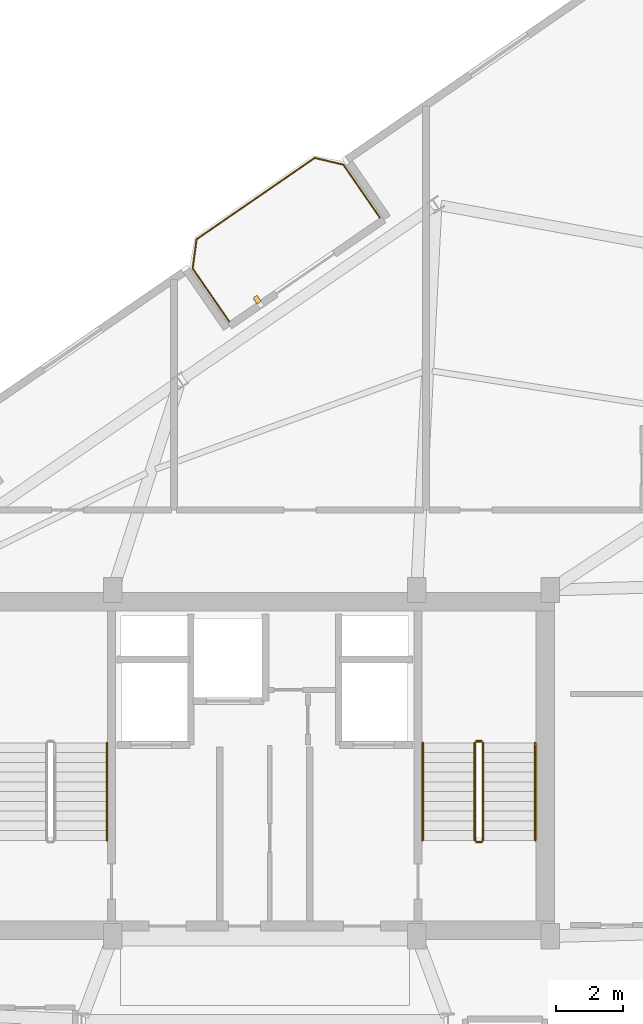
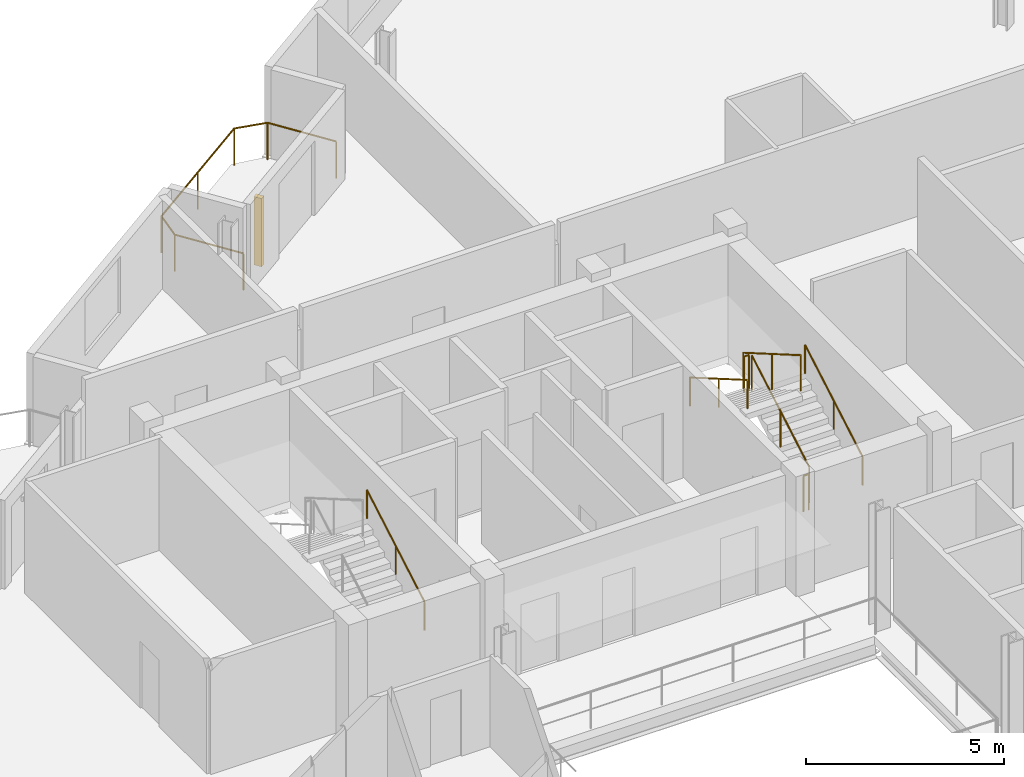
# One storey, part 21 of 21: 8 railings, 1 shading device.
"""IFC4 building model written with IfcOpenShell, lengths in metres."""

from ifc_helpers import new_model, si_unit, direction, frame, origin, origin_2d, place, context, subcontext, project, spatial, rectangle, circle, extrude, source, transform, mapped, material, type_object, element, save


model = new_model("IFC4")

# Units and contexts
model_context = context("Model", 3, precision=1e-05, world=origin(), true_north=direction((0.0, 1.0)))
body_context = subcontext(model_context, "Body", "Model", "MODEL_VIEW")
ifc_project = project(units=[si_unit("LENGTHUNIT", "METRE"), si_unit("AREAUNIT", "SQUARE_METRE"), si_unit("VOLUMEUNIT", "CUBIC_METRE"), si_unit("PLANEANGLEUNIT", "RADIAN"), si_unit("MASSUNIT", "GRAM", prefix="KILO")], contexts=[model_context])

# Site, building, storey
site_placement = place(None, origin())
site = spatial("IfcSite", under=ifc_project, at=site_placement, CompositionType="ELEMENT")
building_placement = place(site_placement, origin())
building = spatial("IfcBuilding", under=site, at=building_placement, Name="Varnelok Gate Tower", CompositionType="ELEMENT")
storey_placement = place(building_placement, frame((0.0, 0.0, 261.89990234375)))
storey = spatial("IfcBuildingStorey", under=building, at=storey_placement, Name="L67", CompositionType="ELEMENT", Elevation=261.89990234375)

# Railings
ifc_material_1 = material(Name="Low-E Laminated Double Glazing IGU", Category="glass")
railing_type_1 = type_object("IfcRailingType", Name="RL-BALC-1150", PredefinedType="BALUSTRADE", material=ifc_material_1)
railing_1_placement = place(storey_placement, frame((38.143310546875, 47.036376953125, 0.0)))
element("IfcRailing", 1, at=railing_1_placement, inside=storey, type_object=railing_type_1, Name="L67 North Terrace Balustrade 6", PredefinedType="BALUSTRADE", context=body_context, shape_type="SweptSolid", body=[
    extrude(circle(Radius=0.02392578125, at=origin_2d()), frame((0.0, 0.0, 1.1259765625), z_axis=(-0.567284155424, 0.82352212296, 0.0), x_axis=(-0.82352212296, -0.567284155424, 0.0)), (0.0, 0.0, 1.0), 1.919921875),
    extrude(circle(Radius=0.02392578125, at=origin_2d()), frame((-1.089111328125, 1.5810546875, 1.1259765625), z_axis=(0.133238627421, 0.991083986433, 0.0), x_axis=(-0.991083986433, 0.133238627421, 0.0)), (0.0, 0.0, 1.0), 0.877685546875),
    extrude(circle(Radius=0.02392578125, at=origin_2d()), frame((-0.97216796875, 2.450927734375, 1.1259765625), z_axis=(0.823530765458, 0.56727160897, 0.0), x_axis=(-0.56727160897, 0.823530765458, 0.0)), (0.0, 0.0, 1.0), 4.26708984375),
    extrude(circle(Radius=0.02392578125, at=origin_2d()), frame((2.5419921875, 4.87158203125, 1.1259765625), z_axis=(0.973573806257, -0.228372598553, 0.0), x_axis=(0.228372598553, 0.973573806257, 0.0)), (0.0, 0.0, 1.0), 0.877685546875),
    extrude(circle(Radius=0.02392578125, at=origin_2d()), frame((3.396484375, 4.671142578125, 1.1259765625), z_axis=(0.567224752248, -0.823563039747, 0.0), x_axis=(0.823563039747, 0.567224752248, 0.0)), (0.0, 0.0, 1.0), 1.920166015625),
    extrude(circle(Radius=0.02099609375, at=origin_2d()), origin(), (0.0, 0.0, 1.0), 1.101806640625),
    extrude(circle(Radius=0.02099609375, at=origin_2d()), frame((-1.089111328125, 1.5810546875, 0.0)), (0.0, 0.0, 1.0), 1.101806640625),
    extrude(circle(Radius=0.02099609375, at=origin_2d()), frame((-0.97216796875, 2.450927734375, 0.0)), (0.0, 0.0, 1.0), 1.101806640625),
    extrude(circle(Radius=0.02099609375, at=origin_2d()), frame((0.784912109375, 3.6611328125, 0.0)), (0.0, 0.0, 1.0), 1.101806640625),
    extrude(circle(Radius=0.02099609375, at=origin_2d()), frame((2.5419921875, 4.87158203125, 0.0)), (0.0, 0.0, 1.0), 1.101806640625),
    extrude(circle(Radius=0.02099609375, at=origin_2d()), frame((3.396484375, 4.671142578125, 0.0)), (0.0, 0.0, 1.0), 1.101806640625),
    extrude(circle(Radius=0.02099609375, at=origin_2d()), frame((4.485595703125, 3.08984375, 0.0)), (0.0, 0.0, 1.0), 1.101806640625),
])
ifc_material_2 = material(Name="Brushed Stainless Steel AISI 316", Category="steel")
railing_type_2 = type_object("IfcRailingType", Name="RL-HANDRAIL-900", PredefinedType="HANDRAIL", material=ifc_material_2)
for number, where, name in (
    (2, (34.5, 31.60009765625, 0.168212890625), "L67 ST-1 stair handrail 1"),
    (3, (47.25, 31.60009765625, 0.168212890625), "L67 ST-2 stair handrail 1"),
):
    element("IfcRailing", number, at=place(storey_placement, frame(where)), inside=storey, type_object=railing_type_2, Name=name, PredefinedType="HANDRAIL", context=body_context, shape_type="SweptSolid", body=[
        extrude(circle(Radius=0.02392578125, at=origin_2d()), frame((0.0, 0.0, 0.8759765625), z_axis=(0.0, 0.865038774852, 0.501705010941), x_axis=(-1.0, 0.0, 0.0)), (0.0, 0.0, 1.0), 3.352294921875),
        extrude(circle(Radius=0.02099609375, at=origin_2d()), origin(), (0.0, 0.0, 1.0), 0.851806640625),
        extrude(circle(Radius=0.02099609375, at=origin_2d()), frame((0.0, 1.449951171875, 0.8408203125)), (0.0, 0.0, 1.0), 0.851806640625),
        extrude(circle(Radius=0.02099609375, at=origin_2d()), frame((0.0, 2.89990234375, 1.681884765625)), (0.0, 0.0, 1.0), 0.851806640625),
    ])
railing_2_placement = place(storey_placement, frame((43.89990234375, 34.5, 2.018310546875)))
element("IfcRailing", 4, at=railing_2_placement, inside=storey, type_object=railing_type_2, Name="L67 ST-2 stair handrail 2", PredefinedType="HANDRAIL", context=body_context, shape_type="SweptSolid", body=[
    extrude(circle(Radius=0.02392578125, at=origin_2d()), frame((0.0, 0.0, 0.8759765625), z_axis=(0.0, -0.865038774852, 0.501705010941), x_axis=(1.0, 0.0, 0.0)), (0.0, 0.0, 1.0), 3.352294921875),
    extrude(circle(Radius=0.02099609375, at=origin_2d()), origin(), (0.0, 0.0, 1.0), 0.851806640625),
    extrude(circle(Radius=0.02099609375, at=origin_2d()), frame((0.0, -1.449951171875, 0.8408203125)), (0.0, 0.0, 1.0), 0.851806640625),
    extrude(circle(Radius=0.02099609375, at=origin_2d()), frame((0.0, -2.89990234375, 1.681884765625)), (0.0, 0.0, 1.0), 0.851806640625),
])
ifc_material_3 = material(Name="Galvanized Steel Grade S350GD", Category="steel")
railing_type_3 = type_object("IfcRailingType", Name="RL-STAIR-GUARD1120", PredefinedType="GUARDRAIL", material=ifc_material_3)
railing_3_placement = place(storey_placement, frame((45.699951171875, 31.60009765625, 0.168212890625)))
element("IfcRailing", 5, at=railing_3_placement, inside=storey, type_object=railing_type_3, Name="L67 ST-2 stair guard 1", PredefinedType="GUARDRAIL", context=body_context, shape_type="SweptSolid", body=[
    extrude(circle(Radius=0.02392578125, at=origin_2d()), frame((0.0, 0.0, 1.09619140625), z_axis=(0.0, 0.865038774852, 0.501705010941), x_axis=(-1.0, 0.0, 0.0)), (0.0, 0.0, 1.0), 3.352294921875),
    extrude(circle(Radius=0.02099609375, at=origin_2d()), origin(), (0.0, 0.0, 1.0), 1.072021484375),
    extrude(circle(Radius=0.02099609375, at=origin_2d()), frame((0.0, 1.449951171875, 0.8408203125)), (0.0, 0.0, 1.0), 1.072021484375),
    extrude(circle(Radius=0.02099609375, at=origin_2d()), frame((0.0, 2.89990234375, 1.681884765625)), (0.0, 0.0, 1.0), 1.072021484375),
])
railing_4_placement = place(storey_placement, frame((45.64990234375, 34.550048828125, 1.85009765625)))
element("IfcRailing", 6, at=railing_4_placement, inside=storey, type_object=railing_type_3, Name="L67 ST-2 stair guard 2", PredefinedType="GUARDRAIL", context=body_context, shape_type="SweptSolid", body=[
    extrude(circle(Radius=0.02392578125, at=origin_2d()), frame((0.0, 0.0, 1.09619140625), z_axis=(-1.0, 0.0, 0.0), x_axis=(0.0, -1.0, 0.0)), (0.0, 0.0, 1.0), 0.14990234375),
    extrude(circle(Radius=0.02099609375, at=origin_2d()), origin(), (0.0, 0.0, 1.0), 1.072021484375),
    extrude(circle(Radius=0.02099609375, at=origin_2d()), frame((-0.14990234375, 0.0, 0.0)), (0.0, 0.0, 1.0), 1.072021484375),
])
railing_5_placement = place(storey_placement, frame((45.449951171875, 34.5, 2.018310546875)))
element("IfcRailing", 7, at=railing_5_placement, inside=storey, type_object=railing_type_3, Name="L67 ST-2 stair guard 3", PredefinedType="GUARDRAIL", context=body_context, shape_type="SweptSolid", body=[
    extrude(circle(Radius=0.02392578125, at=origin_2d()), frame((0.0, 0.0, 1.09619140625), z_axis=(0.0, -0.865038774852, 0.501705010941), x_axis=(1.0, 0.0, 0.0)), (0.0, 0.0, 1.0), 3.352294921875),
    extrude(circle(Radius=0.02099609375, at=origin_2d()), origin(), (0.0, 0.0, 1.0), 1.072021484375),
    extrude(circle(Radius=0.02099609375, at=origin_2d()), frame((0.0, -1.449951171875, 0.8408203125)), (0.0, 0.0, 1.0), 1.072021484375),
    extrude(circle(Radius=0.02099609375, at=origin_2d()), frame((0.0, -2.89990234375, 1.681884765625)), (0.0, 0.0, 1.0), 1.072021484375),
])
railing_6_placement = place(storey_placement, frame((45.64990234375, 31.550048828125, 0.0)))
element("IfcRailing", 8, at=railing_6_placement, inside=storey, type_object=railing_type_3, Name="L67 ST-2 stair guard 4", PredefinedType="GUARDRAIL", context=body_context, shape_type="SweptSolid", body=[
    extrude(circle(Radius=0.02392578125, at=origin_2d()), frame((0.0, 0.0, 1.09619140625), z_axis=(-1.0, 0.0, 0.0), x_axis=(0.0, -1.0, 0.0)), (0.0, 0.0, 1.0), 0.14990234375),
    extrude(circle(Radius=0.02099609375, at=origin_2d()), origin(), (0.0, 0.0, 1.0), 1.072021484375),
    extrude(circle(Radius=0.02099609375, at=origin_2d()), frame((-0.14990234375, 0.0, 0.0)), (0.0, 0.0, 1.0), 1.072021484375),
])

# Shading device
ifc_material_4 = material(Name="Glazed Architectural Terracotta Ceramic", Category="masonry")
shading_device_type = type_object("IfcShadingDeviceType", Name="SHD-TERRA-FIN", PredefinedType="USERDEFINED", material=ifc_material_4)
shared_shape = source(origin(), body_context, "Body", "SweptSolid", [
    extrude(rectangle(XDim=0.139892578125, YDim=0.219970703125, at=origin_2d()), origin(), (0.0, 0.0, 1.0), 2.10009765625),
])
shading_device_placement = place(storey_placement, frame((38.970947265625, 47.69140625, 0.10009765625), z_axis=(0.0, 0.0, 1.0), x_axis=(0.823532597628, 0.567268949127, 0.0)))
element("IfcShadingDevice", 9, at=shading_device_placement, inside=storey, type_object=shading_device_type, Name="L67 Terracotta Ceramic Baguette Sunscreen 6.1", ObjectType="BAGUETTE", PredefinedType="USERDEFINED", context=body_context, shape_type="MappedRepresentation", body=[
    mapped(shared_shape, transform((0.0, 0.0, 0.0), scale=1.0)),
])

save(model, "model.ifc")
